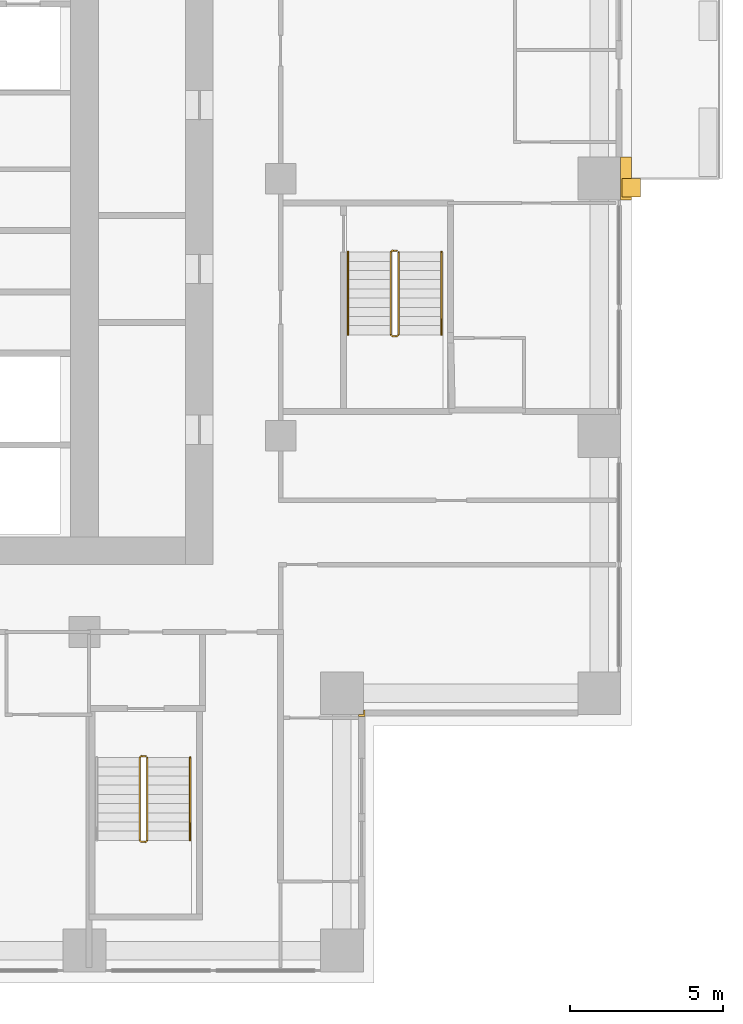
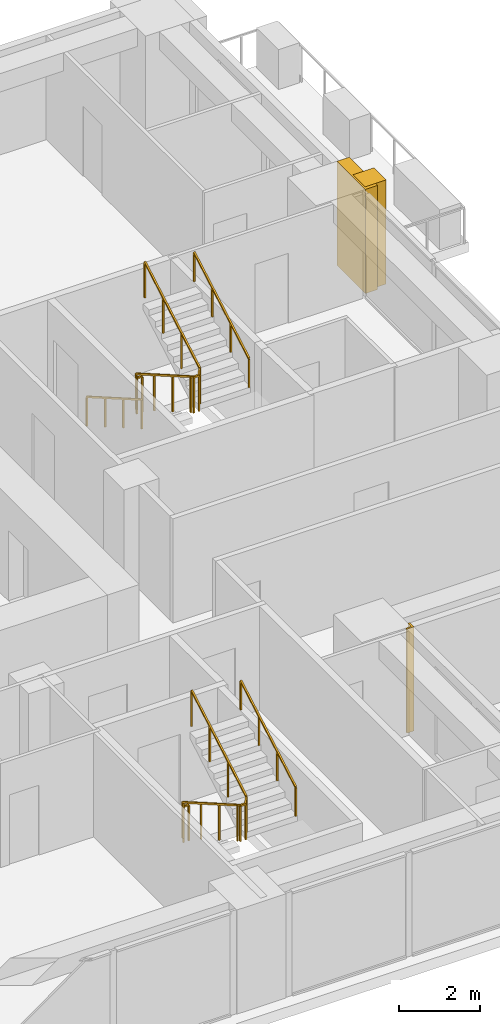
# One storey, part 14 of 16: 5 railings, 3 coverings.
"""IFC4 building model written with IfcOpenShell, lengths in metres."""

from ifc_helpers import new_model, si_unit, direction, frame, origin, origin_2d, place, context, subcontext, project, spatial, polyline, rectangle, outline, extrude, material, type_object, element, save


model = new_model("IFC4")

# Units and contexts
model_context = context("Model", 3, precision=1e-05, world=origin(), true_north=direction((0.0, 1.0)))
body_context = subcontext(model_context, "Body", "Model", "MODEL_VIEW")
ifc_project = project(units=[si_unit("LENGTHUNIT", "METRE"), si_unit("AREAUNIT", "SQUARE_METRE"), si_unit("VOLUMEUNIT", "CUBIC_METRE"), si_unit("PLANEANGLEUNIT", "RADIAN"), si_unit("MASSUNIT", "GRAM", prefix="KILO")], contexts=[model_context])

# Site, building, storey
site_placement = place(None, origin())
site = spatial("IfcSite", under=ifc_project, at=site_placement, CompositionType="ELEMENT")
building_placement = place(site_placement, origin())
building = spatial("IfcBuilding", under=site, at=building_placement, Name="Vermilion Ogive Tower", CompositionType="ELEMENT")
storey_placement = place(building_placement, frame((0.0, 0.0, 44.85009765625)))
storey = spatial("IfcBuildingStorey", under=building, at=storey_placement, Name="L09", CompositionType="ELEMENT", Elevation=44.85009765625)

# Railings
ifc_material_1 = material(Name="Steel S355 painted", Category="steel")
railing_type_1 = type_object("IfcRailingType", Name="Stair guard 1100", PredefinedType="GUARDRAIL", material=ifc_material_1)
railing_1_placement = place(storey_placement, frame((10.39990234375, -14.64990234375, 0.0)))
element("IfcRailing", 1, at=railing_1_placement, inside=storey, type_object=railing_type_1, Name="L09 ST5 stair guard 4", PredefinedType="GUARDRAIL", context=body_context, shape_type="SweptSolid", body=[
    extrude(rectangle(XDim=0.048095703125, YDim=0.048095703125, at=origin_2d()), frame((0.0, 0.0, 1.076171875), z_axis=(-1.0, 0.0, 0.0), x_axis=(0.0, -1.0, 0.0)), (0.0, 0.0, 1.0), 0.14990234375),
    extrude(rectangle(XDim=0.048095703125, YDim=0.048095703125, at=origin_2d()), frame((-0.14990234375, 0.0, 1.076171875), z_axis=(-0.268603158521, -0.268603158521, 0.925043072762), x_axis=(0.707106781187, -0.707106781187, 0.0)), (0.0, 0.0, 1.0), 0.186279296875),
    extrude(rectangle(XDim=0.048095703125, YDim=0.048095703125, at=origin_2d()), frame((-0.199951171875, -0.050048828125, 1.24853515625), z_axis=(0.0, -0.866903762492, 0.498475542607), x_axis=(1.0, 0.0, 0.0)), (0.0, 0.0, 1.0), 3.114501953125),
    extrude(rectangle(XDim=0.048095703125, YDim=0.048095703125, at=origin_2d()), frame((-0.199951171875, -2.75, 2.80078125), z_axis=(0.707106781187, -0.707106781187, 0.0), x_axis=(0.707106781187, 0.707106781187, 0.0)), (0.0, 0.0, 1.0), 0.07080078125),
    extrude(rectangle(XDim=0.048095703125, YDim=0.048095703125, at=origin_2d()), frame((-0.14990234375, -2.800048828125, 2.80078125), z_axis=(1.0, 0.0, 0.0), x_axis=(0.0, 1.0, 0.0)), (0.0, 0.0, 1.0), 0.14990234375),
    extrude(rectangle(XDim=0.048095703125, YDim=0.048095703125, at=origin_2d()), frame((0.0, -2.800048828125, 2.80078125), z_axis=(0.268277960024, 0.268277960024, 0.925231793839), x_axis=(-0.707106781187, 0.707106781187, 0.0)), (0.0, 0.0, 1.0), 0.1865234375),
    extrude(rectangle(XDim=0.048095703125, YDim=0.048095703125, at=origin_2d()), frame((0.050048828125, -2.75, 2.9736328125), z_axis=(0.0, 0.866903762492, 0.498475542607), x_axis=(-1.0, 0.0, 0.0)), (0.0, 0.0, 1.0), 3.114501953125),
    extrude(rectangle(XDim=0.0419921875, YDim=0.0419921875, at=origin_2d()), origin(), (0.0, 0.0, 1.0), 1.052001953125),
    extrude(rectangle(XDim=0.0419921875, YDim=0.0419921875, at=origin_2d()), frame((-0.14990234375, 0.0, 0.0)), (0.0, 0.0, 1.0), 1.052001953125),
    extrude(rectangle(XDim=0.0419921875, YDim=0.0419921875, at=origin_2d()), frame((-0.199951171875, -0.050048828125, 0.17236328125)), (0.0, 0.0, 1.0), 1.052001953125),
    extrude(rectangle(XDim=0.0419921875, YDim=0.0419921875, at=origin_2d()), frame((-0.199951171875, -0.949951171875, 0.68994140625)), (0.0, 0.0, 1.0), 1.052001953125),
    extrude(rectangle(XDim=0.0419921875, YDim=0.0419921875, at=origin_2d()), frame((-0.199951171875, -1.85009765625, 1.207275390625)), (0.0, 0.0, 1.0), 1.052001953125),
    extrude(rectangle(XDim=0.0419921875, YDim=0.0419921875, at=origin_2d()), frame((-0.199951171875, -2.75, 1.724853515625)), (0.0, 0.0, 1.0), 1.052001953125),
    extrude(rectangle(XDim=0.0419921875, YDim=0.0419921875, at=origin_2d()), frame((-0.14990234375, -2.800048828125, 1.724853515625)), (0.0, 0.0, 1.0), 1.052001953125),
    extrude(rectangle(XDim=0.0419921875, YDim=0.0419921875, at=origin_2d()), frame((0.0, -2.800048828125, 1.724853515625)), (0.0, 0.0, 1.0), 1.052001953125),
    extrude(rectangle(XDim=0.0419921875, YDim=0.0419921875, at=origin_2d()), frame((0.050048828125, -2.75, 1.8974609375)), (0.0, 0.0, 1.0), 1.052001953125),
    extrude(rectangle(XDim=0.0419921875, YDim=0.0419921875, at=origin_2d()), frame((0.050048828125, -1.85009765625, 2.4150390625)), (0.0, 0.0, 1.0), 1.052001953125),
    extrude(rectangle(XDim=0.0419921875, YDim=0.0419921875, at=origin_2d()), frame((0.050048828125, -0.949951171875, 2.932373046875)), (0.0, 0.0, 1.0), 1.052001953125),
    extrude(rectangle(XDim=0.0419921875, YDim=0.0419921875, at=origin_2d()), frame((0.050048828125, -0.050048828125, 3.449951171875)), (0.0, 0.0, 1.0), 1.052001953125),
])
railing_2_placement = place(storey_placement, frame((18.60009765625, 1.85009765625, 0.0)))
element("IfcRailing", 2, at=railing_2_placement, inside=storey, type_object=railing_type_1, Name="L09 ST8 stair guard 4", PredefinedType="GUARDRAIL", context=body_context, shape_type="SweptSolid", body=[
    extrude(rectangle(XDim=0.048095703125, YDim=0.048095703125, at=origin_2d()), frame((0.0, 0.0, 1.076171875), z_axis=(-1.0, 0.0, 0.0), x_axis=(0.0, -1.0, 0.0)), (0.0, 0.0, 1.0), 0.150146484375),
    extrude(rectangle(XDim=0.048095703125, YDim=0.048095703125, at=origin_2d()), frame((-0.150146484375, 0.0, 1.076171875), z_axis=(-0.268603158521, -0.268603158521, 0.925043072762), x_axis=(0.707106781187, -0.707106781187, 0.0)), (0.0, 0.0, 1.0), 0.186279296875),
    extrude(rectangle(XDim=0.048095703125, YDim=0.048095703125, at=origin_2d()), frame((-0.2001953125, -0.050048828125, 1.24853515625), z_axis=(0.0, -0.866903762492, 0.498475542607), x_axis=(1.0, 0.0, 0.0)), (0.0, 0.0, 1.0), 3.114501953125),
    extrude(rectangle(XDim=0.048095703125, YDim=0.048095703125, at=origin_2d()), frame((-0.2001953125, -2.75, 2.80078125), z_axis=(0.707106781187, -0.707106781187, 0.0), x_axis=(0.707106781187, 0.707106781187, 0.0)), (0.0, 0.0, 1.0), 0.07080078125),
    extrude(rectangle(XDim=0.048095703125, YDim=0.048095703125, at=origin_2d()), frame((-0.150146484375, -2.800048828125, 2.80078125), z_axis=(1.0, 0.0, 0.0), x_axis=(0.0, 1.0, 0.0)), (0.0, 0.0, 1.0), 0.150146484375),
    extrude(rectangle(XDim=0.048095703125, YDim=0.048095703125, at=origin_2d()), frame((0.0, -2.800048828125, 2.80078125), z_axis=(0.267062837333, 0.268371968888, 0.925556009775), x_axis=(-0.708833529934, 0.705375805398, 0.0)), (0.0, 0.0, 1.0), 0.1865234375),
    extrude(rectangle(XDim=0.048095703125, YDim=0.048095703125, at=origin_2d()), frame((0.0498046875, -2.75, 2.9736328125), z_axis=(0.0, 0.866903762492, 0.498475542607), x_axis=(-1.0, 0.0, 0.0)), (0.0, 0.0, 1.0), 3.114501953125),
    extrude(rectangle(XDim=0.0419921875, YDim=0.0419921875, at=origin_2d()), origin(), (0.0, 0.0, 1.0), 1.052001953125),
    extrude(rectangle(XDim=0.0419921875, YDim=0.0419921875, at=origin_2d()), frame((-0.150146484375, 0.0, 0.0)), (0.0, 0.0, 1.0), 1.052001953125),
    extrude(rectangle(XDim=0.0419921875, YDim=0.0419921875, at=origin_2d()), frame((-0.2001953125, -0.050048828125, 0.17236328125)), (0.0, 0.0, 1.0), 1.052001953125),
    extrude(rectangle(XDim=0.0419921875, YDim=0.0419921875, at=origin_2d()), frame((-0.2001953125, -0.949951171875, 0.68994140625)), (0.0, 0.0, 1.0), 1.052001953125),
    extrude(rectangle(XDim=0.0419921875, YDim=0.0419921875, at=origin_2d()), frame((-0.2001953125, -1.85009765625, 1.207275390625)), (0.0, 0.0, 1.0), 1.052001953125),
    extrude(rectangle(XDim=0.0419921875, YDim=0.0419921875, at=origin_2d()), frame((-0.2001953125, -2.75, 1.724853515625)), (0.0, 0.0, 1.0), 1.052001953125),
    extrude(rectangle(XDim=0.0419921875, YDim=0.0419921875, at=origin_2d()), frame((-0.150146484375, -2.800048828125, 1.724853515625)), (0.0, 0.0, 1.0), 1.052001953125),
    extrude(rectangle(XDim=0.0419921875, YDim=0.0419921875, at=origin_2d()), frame((0.0, -2.800048828125, 1.724853515625)), (0.0, 0.0, 1.0), 1.052001953125),
    extrude(rectangle(XDim=0.0419921875, YDim=0.0419921875, at=origin_2d()), frame((0.0498046875, -2.75, 1.8974609375)), (0.0, 0.0, 1.0), 1.052001953125),
    extrude(rectangle(XDim=0.0419921875, YDim=0.0419921875, at=origin_2d()), frame((0.0498046875, -1.85009765625, 2.4150390625)), (0.0, 0.0, 1.0), 1.052001953125),
    extrude(rectangle(XDim=0.0419921875, YDim=0.0419921875, at=origin_2d()), frame((0.0498046875, -0.949951171875, 2.932373046875)), (0.0, 0.0, 1.0), 1.052001953125),
    extrude(rectangle(XDim=0.0419921875, YDim=0.0419921875, at=origin_2d()), frame((0.0498046875, -0.050048828125, 3.449951171875)), (0.0, 0.0, 1.0), 1.052001953125),
])
ifc_material_2 = material(Name="Stainless steel", Category="steel")
railing_type_2 = type_object("IfcRailingType", Name="Stair handrail 900", PredefinedType="HANDRAIL", material=ifc_material_2)
railing_3_placement = place(storey_placement, frame((11.85009765625, -17.39990234375, 1.8974609375)))
element("IfcRailing", 3, at=railing_3_placement, inside=storey, type_object=railing_type_2, Name="L09 ST5 stair handrail 2", PredefinedType="HANDRAIL", context=body_context, shape_type="SweptSolid", body=[
    extrude(rectangle(XDim=0.048095703125, YDim=0.048095703125, at=origin_2d()), frame((0.0, 0.0, 0.8759765625), z_axis=(0.0, 0.866903762492, 0.498475542607), x_axis=(-1.0, 0.0, 0.0)), (0.0, 0.0, 1.0), 3.114501953125),
    extrude(rectangle(XDim=0.0419921875, YDim=0.0419921875, at=origin_2d()), origin(), (0.0, 0.0, 1.0), 0.851806640625),
    extrude(rectangle(XDim=0.0419921875, YDim=0.0419921875, at=origin_2d()), frame((0.0, 0.89990234375, 0.517578125)), (0.0, 0.0, 1.0), 0.851806640625),
    extrude(rectangle(XDim=0.0419921875, YDim=0.0419921875, at=origin_2d()), frame((0.0, 1.800048828125, 1.034912109375)), (0.0, 0.0, 1.0), 0.851806640625),
    extrude(rectangle(XDim=0.0419921875, YDim=0.0419921875, at=origin_2d()), frame((0.0, 2.699951171875, 1.552490234375)), (0.0, 0.0, 1.0), 0.851806640625),
])
railing_4_placement = place(storey_placement, frame((17.0, 1.800048828125, 0.17236328125)))
element("IfcRailing", 4, at=railing_4_placement, inside=storey, type_object=railing_type_2, Name="L09 ST8 stair handrail 1", PredefinedType="HANDRAIL", context=body_context, shape_type="SweptSolid", body=[
    extrude(rectangle(XDim=0.048095703125, YDim=0.048095703125, at=origin_2d()), frame((0.0, 0.0, 0.8759765625), z_axis=(0.0, -0.866903762492, 0.498475542607), x_axis=(1.0, 0.0, 0.0)), (0.0, 0.0, 1.0), 3.114501953125),
    extrude(rectangle(XDim=0.0419921875, YDim=0.0419921875, at=origin_2d()), origin(), (0.0, 0.0, 1.0), 0.851806640625),
    extrude(rectangle(XDim=0.0419921875, YDim=0.0419921875, at=origin_2d()), frame((0.0, -0.89990234375, 0.517578125)), (0.0, 0.0, 1.0), 0.851806640625),
    extrude(rectangle(XDim=0.0419921875, YDim=0.0419921875, at=origin_2d()), frame((0.0, -1.800048828125, 1.034912109375)), (0.0, 0.0, 1.0), 0.851806640625),
    extrude(rectangle(XDim=0.0419921875, YDim=0.0419921875, at=origin_2d()), frame((0.0, -2.699951171875, 1.552490234375)), (0.0, 0.0, 1.0), 0.851806640625),
])
railing_5_placement = place(storey_placement, frame((20.050048828125, -0.89990234375, 1.8974609375)))
element("IfcRailing", 5, at=railing_5_placement, inside=storey, type_object=railing_type_2, Name="L09 ST8 stair handrail 2", PredefinedType="HANDRAIL", context=body_context, shape_type="SweptSolid", body=[
    extrude(rectangle(XDim=0.048095703125, YDim=0.048095703125, at=origin_2d()), frame((0.0, 0.0, 0.8759765625), z_axis=(0.0, 0.866903762492, 0.498475542607), x_axis=(-1.0, 0.0, 0.0)), (0.0, 0.0, 1.0), 3.114501953125),
    extrude(rectangle(XDim=0.0419921875, YDim=0.0419921875, at=origin_2d()), origin(), (0.0, 0.0, 1.0), 0.851806640625),
    extrude(rectangle(XDim=0.0419921875, YDim=0.0419921875, at=origin_2d()), frame((0.0, 0.89990234375, 0.517578125)), (0.0, 0.0, 1.0), 0.851806640625),
    extrude(rectangle(XDim=0.0419921875, YDim=0.0419921875, at=origin_2d()), frame((0.0, 1.800048828125, 1.034912109375)), (0.0, 0.0, 1.0), 0.851806640625),
    extrude(rectangle(XDim=0.0419921875, YDim=0.0419921875, at=origin_2d()), frame((0.0, 2.699951171875, 1.552490234375)), (0.0, 0.0, 1.0), 0.851806640625),
])

# Coverings
ifc_material_3 = material(Name="Stone cladding", Category="masonry")
covering_type_1 = type_object("IfcCoveringType", Name="Stone corner buttress", PredefinedType="CLADDING", material=ifc_material_3)
covering_1_placement = place(storey_placement, origin())
element("IfcCovering", 6, at=covering_1_placement, inside=storey, type_object=covering_type_1, Name="Stone crease pier EK", PredefinedType="CLADDING", context=body_context, shape_type="SweptSolid", body=[
    extrude(outline(polyline([(26.550048828125, 3.60009765625), (26.550048828125, 4.199951171875), (25.949951171875, 4.199951171875), (25.949951171875, 3.60009765625), (26.550048828125, 3.60009765625)])), origin(), (0.0, 0.0, 1.0), 3.1298828125),
])
ifc_material_4 = material(Name="Stone cladding", Category="masonry")
covering_type_2 = type_object("IfcCoveringType", Name="Stone pier", PredefinedType="CLADDING", material=ifc_material_4)
covering_2_placement = place(storey_placement, origin())
element("IfcCovering", 7, at=covering_2_placement, inside=storey, type_object=covering_type_2, Name="Stone corner pier X1E1", PredefinedType="CLADDING", context=body_context, shape_type="SweptSolid", body=[
    extrude(outline(polyline([(17.35009765625, -13.300048828125), (17.5, -13.300048828125), (17.5, -13.14990234375), (17.550048828125, -13.14990234375), (17.550048828125, -13.35009765625), (17.35009765625, -13.35009765625), (17.35009765625, -13.300048828125)])), origin(), (0.0, 0.0, 1.0), 3.1298828125),
])
covering_3_placement = place(storey_placement, origin())
element("IfcCovering", 8, at=covering_3_placement, inside=storey, type_object=covering_type_2, Name="Stone pier P+0252+042", PredefinedType="CLADDING", context=body_context, shape_type="SweptSolid", body=[
    extrude(outline(polyline([(26.25, 4.89990234375), (26.25, 4.199951171875), (25.949951171875, 4.199951171875), (25.949951171875, 3.60009765625), (26.25, 3.60009765625), (26.25, 3.5), (25.89990234375, 3.5), (25.89990234375, 4.89990234375), (26.25, 4.89990234375)])), origin(), (0.0, 0.0, 1.0), 3.1298828125),
])

save(model, "model.ifc")
